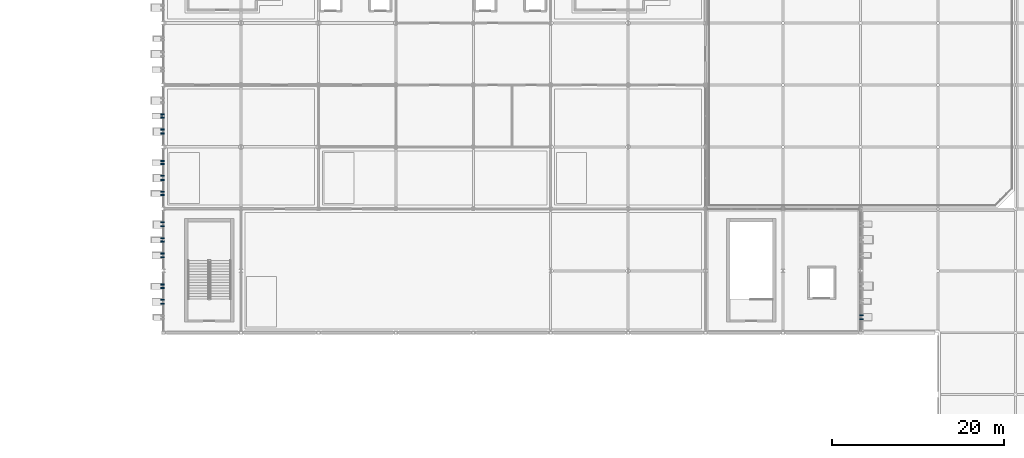
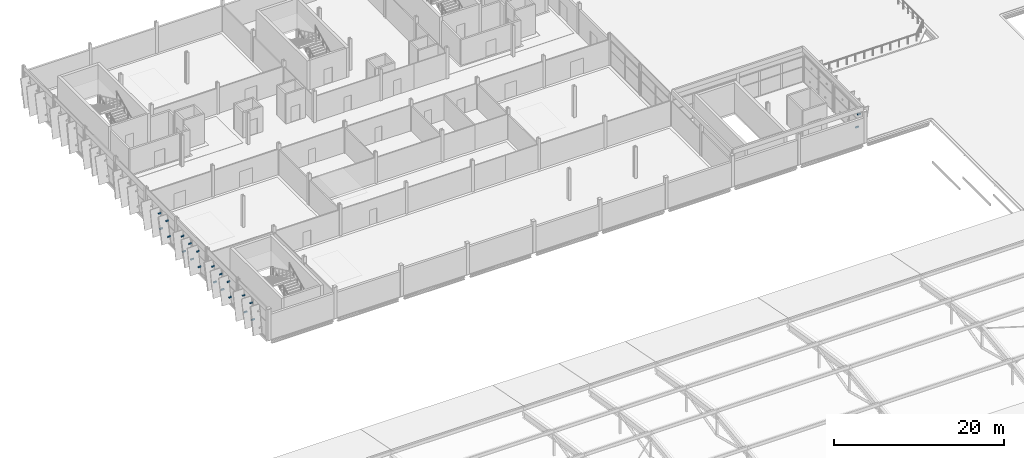
# One storey, part 69 of 78: 22 discrete accessories.
"""IFC4 building model written with IfcOpenShell, lengths in metres."""

from ifc_helpers import new_model, si_unit, direction, frame, origin, origin_2d, place, context, subcontext, project, spatial, rectangle, extrude, material, type_object, element, save


model = new_model("IFC4")

# Units and contexts
model_context = context("Model", 3, precision=1e-05, world=origin(), true_north=direction((0.0, 1.0)))
body_context = subcontext(model_context, "Body", "Model", "MODEL_VIEW")
ifc_project = project(units=[si_unit("LENGTHUNIT", "METRE"), si_unit("AREAUNIT", "SQUARE_METRE"), si_unit("VOLUMEUNIT", "CUBIC_METRE"), si_unit("PLANEANGLEUNIT", "RADIAN"), si_unit("MASSUNIT", "GRAM", prefix="KILO")], contexts=[model_context])

# Site, building, storey
site_placement = place(None, origin())
site = spatial("IfcSite", under=ifc_project, at=site_placement, CompositionType="ELEMENT")
building_placement = place(site_placement, origin())
building = spatial("IfcBuilding", under=site, at=building_placement, Name="Celestram Park Convention Centre", CompositionType="ELEMENT")
storey_placement = place(building_placement, frame((0.0, 0.0, 19.800048828125)))
storey = spatial("IfcBuildingStorey", under=building, at=storey_placement, Name="L04", CompositionType="ELEMENT", Elevation=19.800048828125)

# Discrete accessories
ifc_material = material(Name="Steel ASTM A500 Grade C", Category="steel")
discrete_accessory_type = type_object("IfcDiscreteAccessoryType", Name="ARC-BRK-OUT400", PredefinedType="BRACKET", material=ifc_material)
for number, where, z_axis, x_axis, name in (
    (1, (117.14990234375, 110.03955078125, 0.81591796875), (0.0, 0.0, 1.0), (1.0, 0.0, 0.0), "Solar fin outrigger bracket BK-L04-1455"),
    (2, (117.14990234375, 109.58251953125, 2.9482421875), (0.0, 0.0, 1.0), (1.0, 0.0, 0.0), "Solar fin outrigger bracket BK-L04-1456"),
    (3, (35.85009765625, 111.378173828125, 0.81591796875), (0.0, 0.0, 1.0), (-1.0, 0.0, 0.0), "Solar fin outrigger bracket BK-L04-1459"),
    (4, (35.85009765625, 111.835205078125, 2.9482421875), (0.0, 0.0, 1.0), (-1.0, 0.0, 0.0), "Solar fin outrigger bracket BK-L04-1460"),
    (5, (35.85009765625, 113.2099609375, 0.8095703125), (0.0, 0.0, 1.0), (-1.0, 0.0, 0.0), "Solar fin outrigger bracket BK-L04-1461"),
    (6, (35.85009765625, 113.603515625, 2.95458984375), (0.0, 0.0, 1.0), (-1.0, 0.0, 0.0), "Solar fin outrigger bracket BK-L04-1462"),
    (7, (35.85009765625, 116.78662109375, 0.7578125), (0.0, 0.0, 1.0), (-1.0, 0.0, 0.0), "Solar fin outrigger bracket BK-L04-1463"),
    (8, (35.85009765625, 117.21337890625, 2.75), (0.0, 0.0, 1.0), (-1.0, 0.0, 0.0), "Solar fin outrigger bracket BK-L04-1464"),
    (9, (35.85009765625, 118.6162109375, 0.751953125), (0.0, 0.0, 1.0), (-1.0, 0.0, 0.0), "Solar fin outrigger bracket BK-L04-1465"),
    (10, (35.85009765625, 118.98388671875, 2.755859375), (0.0, 0.0, 1.0), (-1.0, 0.0, 0.0), "Solar fin outrigger bracket BK-L04-1466"),
    (11, (35.85009765625, 120.364013671875, 0.76318359375), (0.0, 0.0, 1.0), (-1.0, 0.0, 0.0), "Solar fin outrigger bracket BK-L04-1467"),
    (12, (35.85009765625, 120.836181640625, 2.7451171875), (0.0, 0.0, 1.0), (-1.0, 0.0, 0.0), "Solar fin outrigger bracket BK-L04-1468"),
    (13, (35.85009765625, 124.01611328125, 0.751953125), (0.0, 0.0, 1.0), (-1.0, 0.0, 0.0), "Solar fin outrigger bracket BK-L04-1469"),
    (14, (35.85009765625, 124.3837890625, 2.755859375), (0.0, 0.0, 1.0), (-1.0, 0.0, 0.0), "Solar fin outrigger bracket BK-L04-1470"),
    (15, (35.85009765625, 125.763916015625, 0.76318359375), (0.0, 0.0, 1.0), (-1.0, 0.0, 0.0), "Solar fin outrigger bracket BK-L04-1471"),
    (16, (35.85009765625, 126.236083984375, 2.7451171875), (0.0, 0.0, 1.0), (-1.0, 0.0, 0.0), "Solar fin outrigger bracket BK-L04-1472"),
    (17, (35.85009765625, 127.626708984375, 0.75), (0.0, 0.0, 1.0), (-1.0, 0.0, 0.0), "Solar fin outrigger bracket BK-L04-1473"),
    (18, (35.85009765625, 127.973388671875, 2.7578125), (0.0, 0.0, 1.0), (-1.0, 0.0, 0.0), "Solar fin outrigger bracket BK-L04-1474"),
    (19, (35.85009765625, 131.163818359375, 0.76318359375), (0.0, 0.0, 1.0), (-1.0, 0.0, 0.0), "Solar fin outrigger bracket BK-L04-1475"),
    (20, (35.85009765625, 131.635986328125, 2.7451171875), (0.0, 0.0, 1.0), (-1.0, 0.0, 0.0), "Solar fin outrigger bracket BK-L04-1476"),
    (21, (35.85009765625, 133.026611328125, 0.75), (0.0, 0.0, 1.0), (-1.0, 0.0, 0.0), "Solar fin outrigger bracket BK-L04-1477"),
    (22, (35.85009765625, 133.373291015625, 2.7578125), (0.0, 0.0, 1.0), (-1.0, 0.0, 0.0), "Solar fin outrigger bracket BK-L04-1478"),
):
    element("IfcDiscreteAccessory", number, at=place(storey_placement, frame(where, z_axis=z_axis, x_axis=x_axis)), inside=storey, type_object=discrete_accessory_type, Name=name, PredefinedType="BRACKET", context=body_context, shape_type="SweptSolid", body=[
        extrude(rectangle(XDim=0.39990234375, YDim=0.139892578125, at=origin_2d()), origin(), (0.0, 0.0, 1.0), 0.139892578125),
    ])

save(model, "model.ifc")
